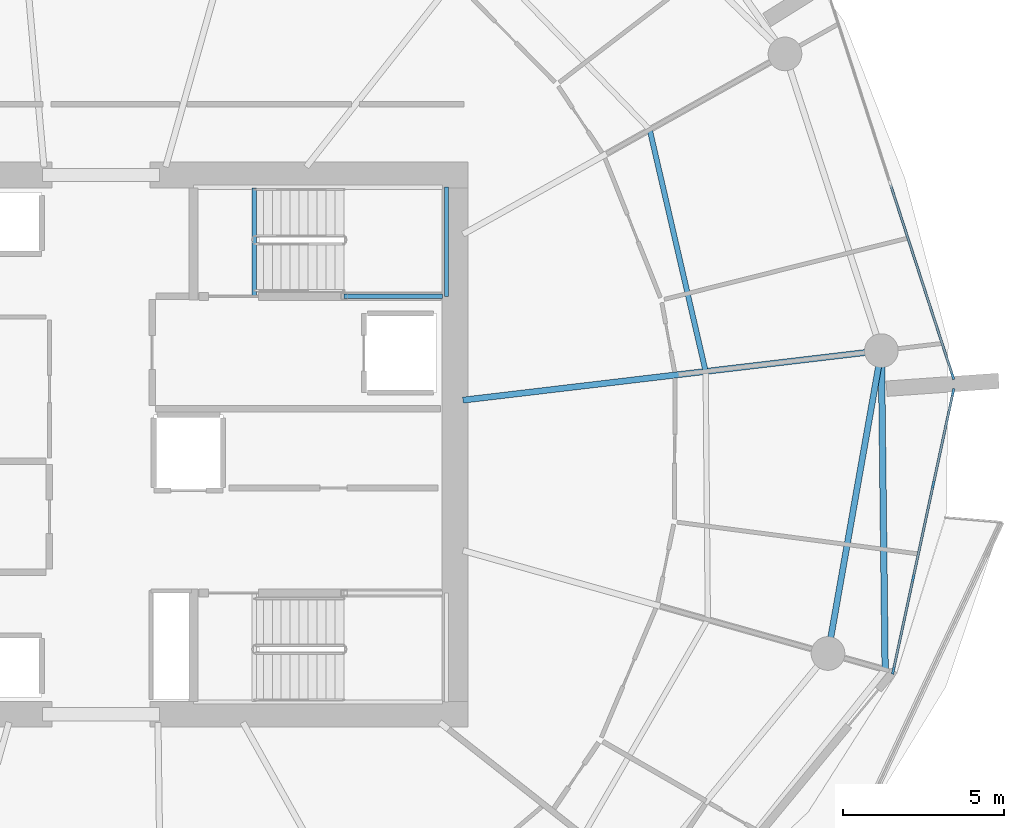
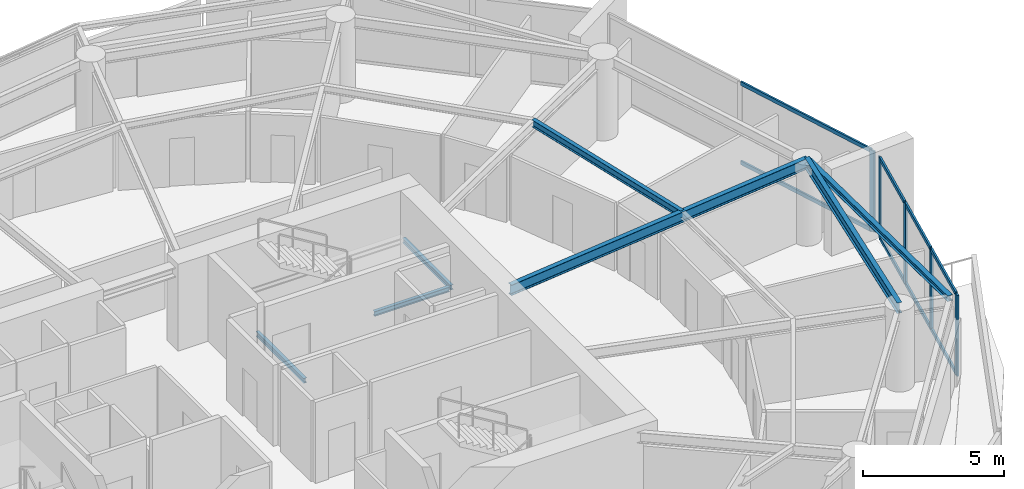
# One storey, part 7 of 20: 13 members, 7 beams, 2 elements without a shape of their own.
"""IFC4 building model written with IfcOpenShell, lengths in metres."""

from ifc_helpers import new_model, si_unit, direction, frame, origin, origin_2d, place, context, subcontext, project, spatial, rectangle, i_section, extrude, material, layer, layer_set, material_profile, profile_set, type_object, element, aggregate, save


model = new_model("IFC4")

# Units and contexts
model_context = context("Model", 3, precision=1e-05, world=origin(), true_north=direction((0.0, 1.0)))
body_context = subcontext(model_context, "Body", "Model", "MODEL_VIEW")
ifc_project = project(units=[si_unit("LENGTHUNIT", "METRE"), si_unit("AREAUNIT", "SQUARE_METRE"), si_unit("VOLUMEUNIT", "CUBIC_METRE"), si_unit("PLANEANGLEUNIT", "RADIAN"), si_unit("MASSUNIT", "GRAM", prefix="KILO")], contexts=[model_context])

# Site, building, storey
site_placement = place(None, origin())
site = spatial("IfcSite", under=ifc_project, at=site_placement, CompositionType="ELEMENT")
building_placement = place(site_placement, origin())
building = spatial("IfcBuilding", under=site, at=building_placement, Name="Kazma Halo Residences", CompositionType="ELEMENT")
storey_placement = place(building_placement, frame((0.0, 0.0, 139.050048828125)))
storey = spatial("IfcBuildingStorey", under=building, at=storey_placement, Name="L34", CompositionType="ELEMENT", Elevation=139.050048828125)

# Beams
ifc_material_1 = material(Name="Steel S355", Category="steel")
ifc_material_profile_1 = material_profile(ifc_material_1, i_section(OverallWidth=0.201904296875, OverallDepth=0.2470703125, WebThickness=0.00732421875, FlangeThickness=0.010986328125, FilletRadius=0.011962890625, at=origin_2d()), Name="W250x49.1")
ifc_profile_set_1 = profile_set([ifc_material_profile_1], Name="Steel S355")
beam_type_1 = type_object("IfcBeamType", Name="BM-BAL-CANT", PredefinedType="BEAM", material=ifc_profile_set_1)
beam_1_placement = place(storey_placement, frame((72.850341796875, 34.991455078125, 3.37646484375), z_axis=(-0.011793371143, 0.99993045578, 0.0), x_axis=(-0.99993045578, -0.011793371143, 0.0)))
element("IfcBeam", 1, at=beam_1_placement, inside=storey, type_object=beam_type_1, Name="L34 wave-balcony tie beam 15", PredefinedType="BEAM", context=body_context, shape_type="SweptSolid", body=[
    extrude(i_section(OverallWidth=0.201904296875, OverallDepth=0.2470703125, WebThickness=0.00732421875, FlangeThickness=0.010986328125, FilletRadius=0.011962890625, at=origin_2d()), origin(), (0.0, 0.0, 1.0), 9.936767578125),
])
ifc_material_profile_2 = material_profile(ifc_material_1, i_section(OverallWidth=0.18994140625, OverallDepth=0.45703125, WebThickness=0.009033203125, FlangeThickness=0.014404296875, FilletRadius=0.01611328125, at=origin_2d()), Name="W460x74")
ifc_profile_set_2 = profile_set([ifc_material_profile_2], Name="Steel S355")
beam_type_2 = type_object("IfcBeamType", Name="BM-RAD-W460", PredefinedType="BEAM", material=ifc_profile_set_2)
beam_2_placement = place(storey_placement, frame((59.699951171875, 43.384765625, 3.271484375), z_axis=(0.993067181848, 0.117548170278, 0.0), x_axis=(-0.117548170278, 0.993067181848, 0.0)))
element("IfcBeam", 2, at=beam_2_placement, inside=storey, type_object=beam_type_2, Name="L34 radial floor beam 16", PredefinedType="BEAM", context=body_context, shape_type="SweptSolid", body=[
    extrude(i_section(OverallWidth=0.18994140625, OverallDepth=0.45703125, WebThickness=0.009033203125, FlangeThickness=0.014404296875, FilletRadius=0.01611328125, at=origin_2d()), origin(), (0.0, 0.0, 1.0), 13.124267578125),
])
ifc_material_profile_3 = material_profile(ifc_material_1, i_section(OverallWidth=0.1650390625, OverallDepth=0.31005859375, WebThickness=0.005859375, FlangeThickness=0.009765625, FilletRadius=0.011962890625, at=origin_2d()), Name="W310x38.7")
ifc_profile_set_3 = profile_set([ifc_material_profile_3], Name="Steel S355")
beam_type_3 = type_object("IfcBeamType", Name="BM-SEC-W310B", PredefinedType="JOIST", material=ifc_profile_set_3)
beam_3_placement = place(storey_placement, frame((67.25927734375, 44.279541015625, 3.344970703125), z_axis=(-0.225330067077, 0.97428248515, 0.0), x_axis=(-0.97428248515, -0.225330067077, 0.0)))
element("IfcBeam", 3, at=beam_3_placement, inside=storey, type_object=beam_type_3, Name="L34 circumferential floor joist 16", PredefinedType="JOIST", context=body_context, shape_type="SweptSolid", body=[
    extrude(i_section(OverallWidth=0.1650390625, OverallDepth=0.31005859375, WebThickness=0.005859375, FlangeThickness=0.009765625, FilletRadius=0.011962890625, at=origin_2d()), origin(), (0.0, 0.0, 1.0), 7.7294921875),
])
ifc_material_profile_4 = material_profile(ifc_material_1, i_section(OverallWidth=0.18994140625, OverallDepth=0.45703125, WebThickness=0.009033203125, FlangeThickness=0.014404296875, FilletRadius=0.01611328125, at=origin_2d()), Name="W460x74")
ifc_profile_set_4 = profile_set([ifc_material_profile_4], Name="Steel S355")
beam_type_4 = type_object("IfcBeamType", Name="BM-SPN-W460", PredefinedType="BEAM", material=ifc_profile_set_4)
beam_4_placement = place(storey_placement, frame((71.06982421875, 35.49365234375, 3.271484375), z_axis=(0.173637033425, 0.984809717978, 0.0), x_axis=(-0.984809717978, 0.173637033425, 0.0)))
element("IfcBeam", 4, at=beam_4_placement, inside=storey, type_object=beam_type_4, Name="L34 perimeter ring beam 15", PredefinedType="BEAM", context=body_context, shape_type="SweptSolid", body=[
    extrude(i_section(OverallWidth=0.18994140625, OverallDepth=0.45703125, WebThickness=0.009033203125, FlangeThickness=0.014404296875, FilletRadius=0.01611328125, at=origin_2d()), origin(), (0.0, 0.0, 1.0), 9.579345703125),
])
ifc_material_profile_5 = material_profile(ifc_material_1, i_section(OverallWidth=0.133056640625, OverallDepth=0.20703125, WebThickness=0.005859375, FlangeThickness=0.00830078125, FilletRadius=0.010009765625, at=origin_2d()), Name="W200x26.6")
ifc_profile_set_5 = profile_set([ifc_material_profile_5], Name="Steel S355")
beam_type_5 = type_object("IfcBeamType", Name="BM-TRIM-W200", PredefinedType="BEAM", material=ifc_profile_set_5)
beam_5_placement = place(storey_placement, frame((53.199951171875, 46.6201171875, -0.360107421875), z_axis=(0.0, 1.0, 0.0), x_axis=(-1.0, 0.0, 0.0)))
element("IfcBeam", 5, at=beam_5_placement, inside=storey, type_object=beam_type_5, Name="L34 ST-02 floor landing support beam", PredefinedType="BEAM", context=body_context, shape_type="SweptSolid", body=[
    extrude(i_section(OverallWidth=0.133056640625, OverallDepth=0.20703125, WebThickness=0.005859375, FlangeThickness=0.00830078125, FilletRadius=0.010009765625, at=origin_2d()), origin(), (0.0, 0.0, 1.0), 3.3798828125),
])
beam_6_placement = place(storey_placement, frame((56.0, 46.6201171875, 1.570068359375), z_axis=(1.0, 0.0, 0.0), x_axis=(0.0, 1.0, 0.0)))
element("IfcBeam", 6, at=beam_6_placement, inside=storey, type_object=beam_type_5, Name="L34 ST-02 landing south wall ledger", PredefinedType="BEAM", context=body_context, shape_type="SweptSolid", body=[
    extrude(i_section(OverallWidth=0.133056640625, OverallDepth=0.20703125, WebThickness=0.005859375, FlangeThickness=0.00830078125, FilletRadius=0.010009765625, at=origin_2d()), origin(), (0.0, 0.0, 1.0), 3.070068359375),
])
beam_7_placement = place(storey_placement, frame((59.18994140625, 46.6201171875, 1.570068359375), z_axis=(0.0, 1.0, 0.0), x_axis=(-1.0, 0.0, 0.0)))
element("IfcBeam", 7, at=beam_7_placement, inside=storey, type_object=beam_type_5, Name="L34 ST-02 landing end wall ledger", PredefinedType="BEAM", context=body_context, shape_type="SweptSolid", body=[
    extrude(i_section(OverallWidth=0.133056640625, OverallDepth=0.20703125, WebThickness=0.005859375, FlangeThickness=0.00830078125, FilletRadius=0.010009765625, at=origin_2d()), origin(), (0.0, 0.0, 1.0), 3.39990234375),
])

# Curtain wall, members
ifc_material_2 = material(Name="Aluminium AW-6063 T6 and Triple-Silver Low-E Glass", Category="aluminium")
ifc_layer = layer(ifc_material_2, 0.219970703125)
ifc_layer_set = layer_set([ifc_layer], Name="Aluminium AW-6063 T6 and Triple-Silver Low-E Glass")
curtain_wall_type = type_object("IfcCurtainWallType", Name="CW-SYS-4", PredefinedType="NOTDEFINED", material=ifc_layer_set)
curtain_wall_1_placement = place(storey_placement, origin())
curtain_wall_1 = element("IfcCurtainWall", 8, at=curtain_wall_1_placement, inside=storey, type_object=curtain_wall_type, Name="L34 unitised curtain wall B15", PredefinedType="NOTDEFINED")
ifc_material_3 = material(Name="Aluminium AW-6063 T6", Category="aluminium")
ifc_material_profile_6 = material_profile(ifc_material_3, rectangle(XDim=0.074951171875, YDim=0.219970703125, at=origin_2d()), Name="CWM-75x220")
ifc_profile_set_6 = profile_set([ifc_material_profile_6], Name="Aluminium AW-6063 T6")
member_type_1 = type_object("IfcMemberType", Name="CW-SYS-4-MUL", PredefinedType="MULLION", material=ifc_profile_set_6)
member_1_placement = place(storey_placement, frame((73.105224609375, 34.95849609375, 0.0), z_axis=(0.0, 0.0, 1.0), x_axis=(-0.977764957684, 0.209703809037, 0.0)))
member_1 = element("IfcMember", 9, at=member_1_placement, type_object=member_type_1, Name="CWS-4 mullion 1", PredefinedType="MULLION", context=body_context, shape_type="SweptSolid", body=[
    extrude(rectangle(XDim=0.074951171875, YDim=0.219970703125, at=origin_2d()), origin(), (0.0, 0.0, 1.0), 3.5),
])
member_2_placement = place(storey_placement, frame((73.72314453125, 37.839111328125, 0.0), z_axis=(0.0, 0.0, 1.0), x_axis=(-0.977764957684, 0.209703809037, 0.0)))
member_2 = element("IfcMember", 10, at=member_2_placement, type_object=member_type_1, Name="CWS-4 mullion 2", PredefinedType="MULLION", context=body_context, shape_type="SweptSolid", body=[
    extrude(rectangle(XDim=0.074951171875, YDim=0.219970703125, at=origin_2d()), origin(), (0.0, 0.0, 1.0), 3.5),
])
member_3_placement = place(storey_placement, frame((74.3486328125, 40.75634765625, 0.0), z_axis=(0.0, 0.0, 1.0), x_axis=(-0.977764957684, 0.209703809037, 0.0)))
member_3 = element("IfcMember", 11, at=member_3_placement, type_object=member_type_1, Name="CWS-4 mullion 3", PredefinedType="MULLION", context=body_context, shape_type="SweptSolid", body=[
    extrude(rectangle(XDim=0.074951171875, YDim=0.219970703125, at=origin_2d()), origin(), (0.0, 0.0, 1.0), 3.5),
])
member_4_placement = place(storey_placement, frame((74.966552734375, 43.63671875, 0.0), z_axis=(0.0, 0.0, 1.0), x_axis=(-0.977764957684, 0.209703809037, 0.0)))
member_4 = element("IfcMember", 12, at=member_4_placement, type_object=member_type_1, Name="CWS-4 mullion 4", PredefinedType="MULLION", context=body_context, shape_type="SweptSolid", body=[
    extrude(rectangle(XDim=0.074951171875, YDim=0.219970703125, at=origin_2d()), origin(), (0.0, 0.0, 1.0), 3.5),
])

# Curtain wall, member
curtain_wall_2_placement = place(storey_placement, origin())
curtain_wall_2 = element("IfcCurtainWall", 13, at=curtain_wall_2_placement, inside=storey, type_object=curtain_wall_type, Name="L34 unitised curtain wall B16", PredefinedType="NOTDEFINED")
member_5_placement = place(storey_placement, frame((74.955810546875, 44.13427734375, 0.0), z_axis=(0.0, 0.0, 1.0), x_axis=(-0.951057547609, -0.3090138203, 0.0)))
member_5 = element("IfcMember", 14, at=member_5_placement, type_object=member_type_1, Name="CWS-4 mullion 1", PredefinedType="MULLION", context=body_context, shape_type="SweptSolid", body=[
    extrude(rectangle(XDim=0.074951171875, YDim=0.219970703125, at=origin_2d()), origin(), (0.0, 0.0, 1.0), 3.5),
])

# Member
ifc_material_profile_7 = material_profile(ifc_material_3, rectangle(XDim=0.074951171875, YDim=0.1650390625, at=origin_2d()), Name="CWT-75x165")
ifc_profile_set_7 = profile_set([ifc_material_profile_7], Name="Aluminium AW-6063 T6")
member_type_2 = type_object("IfcMemberType", Name="CW-SYS-4-TRN", PredefinedType="USERDEFINED", material=ifc_profile_set_7)
member_6_placement = place(storey_placement, frame((73.113037109375, 34.9951171875, 0.037353515625), z_axis=(0.209703309269, 0.977765064871, 0.0), x_axis=(-0.977765064871, 0.209703309269, 0.0)))
member_6 = element("IfcMember", 15, at=member_6_placement, type_object=member_type_2, Name="CWS-4 transom 1.1", ObjectType="TRANSOM", PredefinedType="USERDEFINED", context=body_context, shape_type="SweptSolid", body=[
    extrude(rectangle(XDim=0.074951171875, YDim=0.1650390625, at=origin_2d()), origin(), (0.0, 0.0, 1.0), 2.870849609375),
])

member_7_placement = place(storey_placement, frame((73.113037109375, 34.9951171875, 3.46240234375), z_axis=(0.209703309269, 0.977765064871, 0.0), x_axis=(-0.977765064871, 0.209703309269, 0.0)))
member_7 = element("IfcMember", 16, at=member_7_placement, type_object=member_type_2, Name="CWS-4 transom 1.2", ObjectType="TRANSOM", PredefinedType="USERDEFINED", context=body_context, shape_type="SweptSolid", body=[
    extrude(rectangle(XDim=0.074951171875, YDim=0.1650390625, at=origin_2d()), origin(), (0.0, 0.0, 1.0), 2.870849609375),
])

member_8_placement = place(storey_placement, frame((73.73095703125, 37.875732421875, 0.037353515625), z_axis=(0.209689601293, 0.977768004748, 0.0), x_axis=(-0.977768004748, 0.209689601293, 0.0)))
member_8 = element("IfcMember", 17, at=member_8_placement, type_object=member_type_2, Name="CWS-4 transom 2.1", ObjectType="TRANSOM", PredefinedType="USERDEFINED", context=body_context, shape_type="SweptSolid", body=[
    extrude(rectangle(XDim=0.074951171875, YDim=0.1650390625, at=origin_2d()), origin(), (0.0, 0.0, 1.0), 2.908447265625),
])

member_9_placement = place(storey_placement, frame((73.73095703125, 37.875732421875, 3.46240234375), z_axis=(0.209689601293, 0.977768004748, 0.0), x_axis=(-0.977768004748, 0.209689601293, 0.0)))
member_9 = element("IfcMember", 18, at=member_9_placement, type_object=member_type_2, Name="CWS-4 transom 2.2", ObjectType="TRANSOM", PredefinedType="USERDEFINED", context=body_context, shape_type="SweptSolid", body=[
    extrude(rectangle(XDim=0.074951171875, YDim=0.1650390625, at=origin_2d()), origin(), (0.0, 0.0, 1.0), 2.908447265625),
])

member_10_placement = place(storey_placement, frame((74.356689453125, 40.79296875, 0.037353515625), z_axis=(0.209703309269, 0.977765064871, 0.0), x_axis=(-0.977765064871, 0.209703309269, 0.0)))
member_10 = element("IfcMember", 19, at=member_10_placement, type_object=member_type_2, Name="CWS-4 transom 3.1", ObjectType="TRANSOM", PredefinedType="USERDEFINED", context=body_context, shape_type="SweptSolid", body=[
    extrude(rectangle(XDim=0.074951171875, YDim=0.1650390625, at=origin_2d()), origin(), (0.0, 0.0, 1.0), 2.870849609375),
])

member_11_placement = place(storey_placement, frame((74.356689453125, 40.79296875, 3.46240234375), z_axis=(0.209703309269, 0.977765064871, 0.0), x_axis=(-0.977765064871, 0.209703309269, 0.0)))
member_11 = element("IfcMember", 20, at=member_11_placement, type_object=member_type_2, Name="CWS-4 transom 3.2", ObjectType="TRANSOM", PredefinedType="USERDEFINED", context=body_context, shape_type="SweptSolid", body=[
    extrude(rectangle(XDim=0.074951171875, YDim=0.1650390625, at=origin_2d()), origin(), (0.0, 0.0, 1.0), 2.870849609375),
])

aggregate(curtain_wall_1, [member_1, member_2, member_3, member_4, member_6, member_7, member_8, member_9, member_10, member_11])

member_12_placement = place(storey_placement, frame((74.9443359375, 44.169921875, 0.037353515625), z_axis=(-0.309006258762, 0.95106000444, 0.0), x_axis=(-0.95106000444, -0.309006258762, 0.0)))
member_12 = element("IfcMember", 21, at=member_12_placement, type_object=member_type_2, Name="CWS-4 transom 1.1", ObjectType="TRANSOM", PredefinedType="USERDEFINED", context=body_context, shape_type="SweptSolid", body=[
    extrude(rectangle(XDim=0.074951171875, YDim=0.1650390625, at=origin_2d()), origin(), (0.0, 0.0, 1.0), 6.22509765625),
])

member_13_placement = place(storey_placement, frame((74.9443359375, 44.169921875, 3.46240234375), z_axis=(-0.309006258762, 0.95106000444, 0.0), x_axis=(-0.95106000444, -0.309006258762, 0.0)))
member_13 = element("IfcMember", 22, at=member_13_placement, type_object=member_type_2, Name="CWS-4 transom 1.2", ObjectType="TRANSOM", PredefinedType="USERDEFINED", context=body_context, shape_type="SweptSolid", body=[
    extrude(rectangle(XDim=0.074951171875, YDim=0.1650390625, at=origin_2d()), origin(), (0.0, 0.0, 1.0), 6.22509765625),
])

aggregate(curtain_wall_2, [member_5, member_12, member_13])

save(model, "model.ifc")
